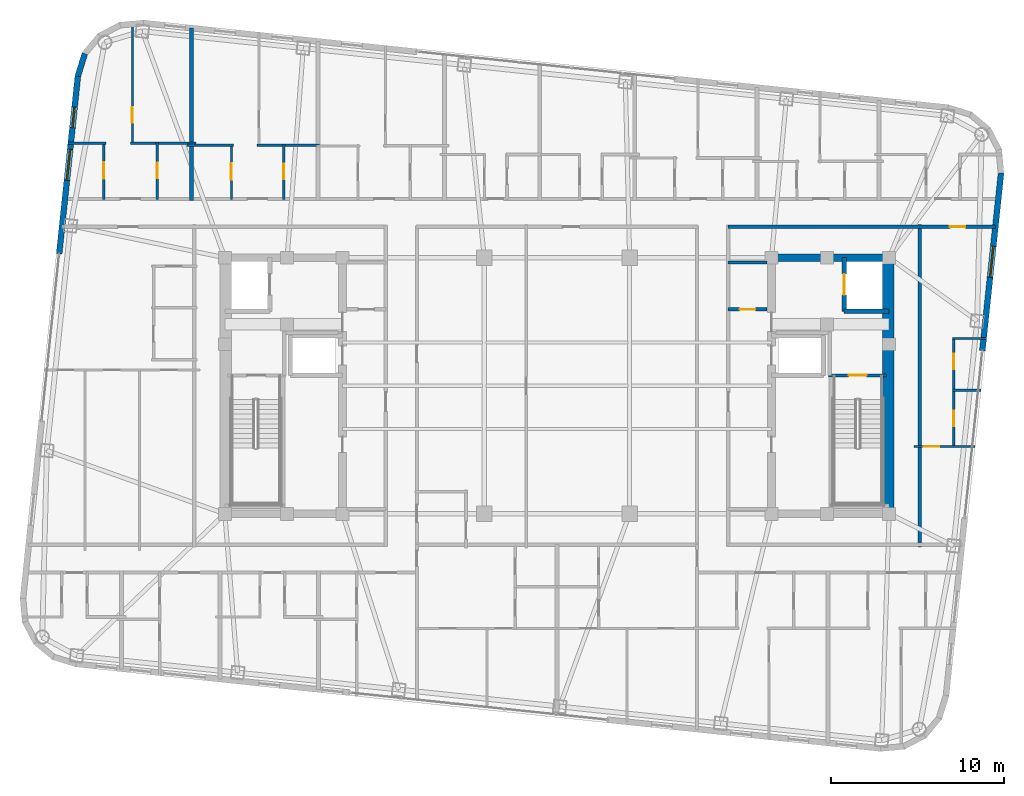
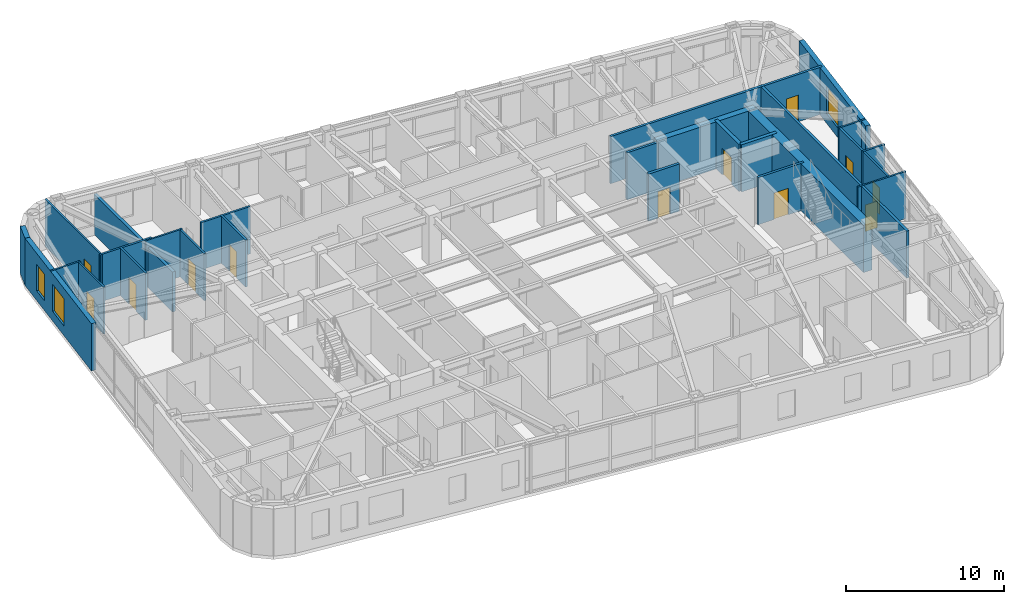
# One storey, part 19 of 23: 27 walls, 12 doors, 3 windows, 15 openings.
"""IFC4 building model written with IfcOpenShell, lengths in metres."""

from ifc_helpers import new_model, si_unit, direction, frame, frame_2d, origin, place, context, subcontext, project, spatial, rectangle, extrude, material, layer, layer_set, type_object, element, fill, save


model = new_model("IFC4")

# Units and contexts
model_context = context("Model", 3, precision=1e-05, world=origin(), true_north=direction((0.0, 1.0)))
body_context = subcontext(model_context, "Body", "Model", "MODEL_VIEW")
ifc_project = project(units=[si_unit("LENGTHUNIT", "METRE"), si_unit("AREAUNIT", "SQUARE_METRE"), si_unit("VOLUMEUNIT", "CUBIC_METRE"), si_unit("PLANEANGLEUNIT", "RADIAN"), si_unit("MASSUNIT", "GRAM", prefix="KILO")], contexts=[model_context])

# Site, building, storey
site_placement = place(None, origin())
site = spatial("IfcSite", under=ifc_project, at=site_placement, CompositionType="ELEMENT")
building_placement = place(site_placement, origin())
building = spatial("IfcBuilding", under=site, at=building_placement, Name="Voryun Gate Residences", CompositionType="ELEMENT")
storey_placement = place(building_placement, frame((0.0, 0.0, 275.60009765625)))
storey = spatial("IfcBuildingStorey", under=building, at=storey_placement, Name="L68", CompositionType="ELEMENT", Elevation=275.60009765625)

# Walls
ifc_material_1 = material(Name="Concrete C50/60", Category="concrete")
ifc_layer_1 = layer(ifc_material_1, 0.449951171875, Name="CW_CORE_450")
ifc_layer_set_1 = layer_set([ifc_layer_1], Name="Concrete C50/60")
wall_type_1 = type_object("IfcWallType", Name="CW_CORE_450", PredefinedType="SHEAR", material=ifc_layer_set_1)
wall_1_placement = place(storey_placement, frame((12.175048828125, 7.39990234375, 0.0), z_axis=(0.0, 0.0, 1.0), x_axis=(1.0, 0.0, 0.0)))
element("IfcWall", 1, at=wall_1_placement, inside=storey, type_object=wall_type_1, Name="L68 Core shear wall CW-L68-EN", PredefinedType="SHEAR", context=body_context, shape_type="SweptSolid", body=[
    extrude(rectangle(XDim=7.25, YDim=0.449951171875, at=frame_2d((3.625, 0.0))), origin(), (0.0, 0.0, 1.0), 3.64990234375),
])
ifc_material_2 = material(Name="Concrete C60/75", Category="concrete")
ifc_layer_2 = layer(ifc_material_2, 0.64990234375, Name="CW_CORE_650")
ifc_layer_set_2 = layer_set([ifc_layer_2], Name="Concrete C60/75")
wall_type_2 = type_object("IfcWallType", Name="CW_CORE_650", PredefinedType="SHEAR", material=ifc_layer_set_2)
wall_2_placement = place(storey_placement, frame((19.14501953125, -7.39990234375, 0.0), z_axis=(0.0, 0.0, 1.0), x_axis=(0.0, 1.0, 0.0)))
element("IfcWall", 2, at=wall_2_placement, inside=storey, type_object=wall_type_2, Name="L68 Core shear wall CW-L68-EE", PredefinedType="SHEAR", context=body_context, shape_type="SweptSolid", body=[
    extrude(rectangle(XDim=14.7998046875, YDim=0.64990234375, at=frame_2d((7.39990234375, 0.0))), origin(), (0.0, 0.0, 1.0), 3.64990234375),
])

# Wall, opening, door
ifc_material_3 = material(Name="Gypsum acoustic fireboard")
ifc_layer_3 = layer(ifc_material_3, 0.179931640625, Name="W_CORR_RATED_180")
ifc_layer_set_3 = layer_set([ifc_layer_3], Name="Gypsum acoustic fireboard")
wall_type_3 = type_object("IfcWallType", Name="W_CORR_RATED_180", PredefinedType="PARTITIONING", material=ifc_layer_set_3)
wall_3_placement = place(storey_placement, frame((15.699951171875, 0.60009765625, 0.0), z_axis=(0.0, 0.0, 1.0), x_axis=(1.0, 0.0, 0.0)))
wall_3 = element("IfcWall", 3, at=wall_3_placement, inside=storey, type_object=wall_type_3, Name="Partition wall WP-L68-STV-E", PredefinedType="PARTITIONING", context=body_context, shape_type="SweptSolid", body=[
    extrude(rectangle(XDim=3.360107421875, YDim=0.179931640625, at=frame_2d((1.68017578125, 0.0))), origin(), (0.0, 0.0, 1.0), 3.64990234375),
])
opening_1_placement = place(wall_3_placement, frame((1.155029296875, 0.0, 0.0)))
opening_1 = element("IfcOpeningElement", 4, at=opening_1_placement, cuts=wall_3, Name="Opening D-FD60-1", PredefinedType="OPENING", context=body_context, shape_type="SweptSolid", body=[
    extrude(rectangle(XDim=1.050048828125, YDim=2.050048828125, at=frame_2d((0.52490234375, 1.02490234375))), frame((0.0, 0.099853515625, 0.0), z_axis=(0.0, -1.0, 0.0), x_axis=(1.0, 0.0, 0.0)), (0.0, 0.0, 1.0), 0.199951171875),
])
ifc_material_4 = material(Name="Painted steel fire door", Category="steel")
door_type_1 = type_object("IfcDoorType", Name="DR_FD60_STAIR_1050", OperationType="NOTDEFINED", PredefinedType="DOOR", material=ifc_material_4)
door_1_placement = place(opening_1_placement, origin())
door_1 = element("IfcDoor", 5, at=door_1_placement, inside=storey, type_object=door_type_1, Name="Door DR-L68-ST-E", OperationType="SINGLE_SWING_RIGHT", OverallHeight=2.050048828125, OverallWidth=1.050048828125, PredefinedType="DOOR", context=body_context, shape_type="SweptSolid", body=[
    extrude(rectangle(XDim=1.050048828125, YDim=2.050048828125, at=frame_2d((0.52490234375, 1.02490234375))), frame((0.0, 0.02490234375, 0.0), z_axis=(0.0, -1.0, 0.0), x_axis=(1.0, 0.0, 0.0)), (0.0, 0.0, 1.0), 0.050048828125),
])
fill(opening_1, door_1)

# Wall
wall_4_placement = place(storey_placement, frame((9.8798828125, 7.1201171875, 0.0), z_axis=(0.0, 0.0, 1.0), x_axis=(1.0, 0.0, 0.0)))
element("IfcWall", 6, at=wall_4_placement, inside=storey, type_object=wall_type_3, Name="Partition wall WP-L68-PLBN-E", PredefinedType="PARTITIONING", context=body_context, shape_type="SweptSolid", body=[
    extrude(rectangle(XDim=2.27001953125, YDim=0.179931640625, at=frame_2d((1.135009765625, 0.0))), origin(), (0.0, 0.0, 1.0), 3.64990234375),
])

# Wall, opening, door
wall_5_placement = place(storey_placement, frame((9.8798828125, 9.18994140625, 0.0), z_axis=(0.0, 0.0, 1.0), x_axis=(1.0, 0.0, 0.0)))
wall_5 = element("IfcWall", 7, at=wall_5_placement, inside=storey, type_object=wall_type_3, Name="Partition wall WP-L68-CWING-EN", PredefinedType="PARTITIONING", context=body_context, shape_type="SweptSolid", body=[
    extrude(rectangle(XDim=15.4638671875, YDim=0.179931640625, at=frame_2d((7.73193359375, 0.0))), origin(), (0.0, 0.0, 1.0), 3.64990234375),
])
opening_2_placement = place(wall_5_placement, frame((12.831787109375, 0.0, 0.0)))
opening_2 = element("IfcOpeningElement", 8, at=opening_2_placement, cuts=wall_5, Name="Opening D-INT-2", PredefinedType="OPENING", context=body_context, shape_type="SweptSolid", body=[
    extrude(rectangle(XDim=0.89990234375, YDim=2.050048828125, at=frame_2d((0.449951171875, 1.02490234375))), frame((0.0, 0.099853515625, 0.0), z_axis=(0.0, -1.0, 0.0), x_axis=(1.0, 0.0, 0.0)), (0.0, 0.0, 1.0), 0.199951171875),
])
ifc_material_5 = material(Name="Architectural oak veneer")
door_type_2 = type_object("IfcDoorType", Name="DR_INT_BATH_900", OperationType="NOTDEFINED", PredefinedType="DOOR", material=ifc_material_5)
door_2_placement = place(opening_2_placement, origin())
door_2 = element("IfcDoor", 9, at=door_2_placement, inside=storey, type_object=door_type_2, Name="Door DR-L68-EE1N", OperationType="SINGLE_SWING_LEFT", OverallHeight=2.050048828125, OverallWidth=0.89990234375, PredefinedType="DOOR", context=body_context, shape_type="SweptSolid", body=[
    extrude(rectangle(XDim=0.89990234375, YDim=2.050048828125, at=frame_2d((0.449951171875, 1.02490234375))), frame((0.0, 0.02490234375, 0.0), z_axis=(0.0, -1.0, 0.0), x_axis=(1.0, 0.0, 0.0)), (0.0, 0.0, 1.0), 0.050048828125),
])
fill(opening_2, door_2)

# Wall
wall_6_placement = place(storey_placement, frame((20.969970703125, -9.31005859375, 0.0), z_axis=(0.0, 0.0, 1.0), x_axis=(0.0, 1.0, 0.0)))
element("IfcWall", 10, at=wall_6_placement, inside=storey, type_object=wall_type_3, Name="Partition wall WP-L68-ECOR", PredefinedType="PARTITIONING", context=body_context, shape_type="SweptSolid", body=[
    extrude(rectangle(XDim=18.6201171875, YDim=0.179931640625, at=frame_2d((9.31005859375, 0.0))), origin(), (0.0, 0.0, 1.0), 3.64990234375),
])

# Wall, openings, windows
ifc_material_6 = material(Name="Charcoal terracotta masonry", Category="masonry")
ifc_layer_4 = layer(ifc_material_6, 0.340087890625, Name="W_EXT_TERRACOTTA_340")
ifc_layer_set_4 = layer_set([ifc_layer_4], Name="Charcoal terracotta masonry")
wall_type_4 = type_object("IfcWallType", Name="W_EXT_TERRACOTTA_340", PredefinedType="ELEMENTEDWALL", material=ifc_layer_set_4)
wall_7_placement = place(storey_placement, frame((-28.775146484375, 7.636474609375, 0.0), z_axis=(0.0, 0.0, 1.0), x_axis=(0.104540767082, 0.994520602108, 0.0)))
wall_7 = element("IfcWall", 11, at=wall_7_placement, inside=storey, type_object=wall_type_4, Name="Exterior wall WEXT-L68-06B", PredefinedType="ELEMENTEDWALL", context=body_context, shape_type="SweptSolid", body=[
    extrude(rectangle(XDim=10.32470703125, YDim=0.340087890625, at=frame_2d((5.162353515625, 0.0))), origin(), (0.0, 0.0, 1.0), 3.64990234375),
])
opening_3_placement = place(wall_7_placement, frame((4.26220703125, 0.0, 0.75)))
opening_3 = element("IfcOpeningElement", 12, at=opening_3_placement, cuts=wall_7, Name="Opening WN1", PredefinedType="OPENING", context=body_context, shape_type="SweptSolid", body=[
    extrude(rectangle(XDim=1.800048828125, YDim=2.10009765625, at=frame_2d((0.89990234375, 1.050048828125))), frame((0.0, 0.179931640625, 0.0), z_axis=(0.0, -1.0, 0.0), x_axis=(1.0, 0.0, 0.0)), (0.0, 0.0, 1.0), 0.360107421875),
])
opening_4_placement = place(wall_7_placement, frame((7.326416015625, 0.0, 0.75)))
opening_4 = element("IfcOpeningElement", 13, at=opening_4_placement, cuts=wall_7, Name="Opening WN6", PredefinedType="OPENING", context=body_context, shape_type="SweptSolid", body=[
    extrude(rectangle(XDim=1.199951171875, YDim=2.050048828125, at=frame_2d((0.60009765625, 1.02490234375))), frame((0.0, 0.179931640625, 0.0), z_axis=(0.0, -1.0, 0.0), x_axis=(1.0, 0.0, 0.0)), (0.0, 0.0, 1.0), 0.360107421875),
])
ifc_material_7 = material(Name="Laminated low-E glass", Category="glass")
window_type_1 = type_object("IfcWindowType", Name="WN_POD_SLOT_1200", PartitioningType="SINGLE_PANEL", PredefinedType="WINDOW", material=ifc_material_7)
window_1_placement = place(opening_4_placement, origin())
window_1 = element("IfcWindow", 14, at=window_1_placement, inside=storey, type_object=window_type_1, Name="Window WN-L68-DWFIX-01", OverallHeight=2.050048828125, OverallWidth=1.199951171875, PartitioningType="SINGLE_PANEL", PredefinedType="WINDOW", context=body_context, shape_type="SweptSolid", body=[
    extrude(rectangle(XDim=1.199951171875, YDim=2.050048828125, at=frame_2d((0.60009765625, 1.02490234375))), frame((0.0, 0.030029296875, 0.0), z_axis=(0.0, -1.0, 0.0), x_axis=(1.0, 0.0, 0.0)), (0.0, 0.0, 1.0), 0.06005859375),
])
fill(opening_4, window_1)
ifc_material_8 = material(Name="Laminated low-E glass", Category="glass")
window_type_2 = type_object("IfcWindowType", Name="WN_RES_PUNCH_1800", PartitioningType="SINGLE_PANEL", PredefinedType="WINDOW", material=ifc_material_8)
window_2_placement = place(opening_3_placement, origin())
window_2 = element("IfcWindow", 15, at=window_2_placement, inside=storey, type_object=window_type_2, Name="Window WN-WEXT-L68-06B-01", OverallHeight=2.10009765625, OverallWidth=1.800048828125, PartitioningType="SINGLE_PANEL", PredefinedType="WINDOW", context=body_context, shape_type="SweptSolid", body=[
    extrude(rectangle(XDim=1.800048828125, YDim=2.10009765625, at=frame_2d((0.89990234375, 1.050048828125))), frame((0.0, 0.030029296875, 0.0), z_axis=(0.0, -1.0, 0.0), x_axis=(1.0, 0.0, 0.0)), (0.0, 0.0, 1.0), 0.06005859375),
])
fill(opening_3, window_2)

# Wall
wall_8_placement = place(storey_placement, frame((-27.69580078125, 17.904541015625, 0.0), z_axis=(0.0, 0.0, 1.0), x_axis=(0.296416228123, 0.955058856671, 0.0)))
element("IfcWall", 16, at=wall_8_placement, inside=storey, type_object=wall_type_4, Name="Exterior wall WEXT-L68-07", PredefinedType="ELEMENTEDWALL", context=body_context, shape_type="SweptSolid", body=[
    extrude(rectangle(XDim=1.35400390625, YDim=0.340087890625, at=frame_2d((0.677001953125, 0.0))), origin(), (0.0, 0.0, 1.0), 3.64990234375),
])

# Wall, opening, window
wall_9_placement = place(storey_placement, frame((25.670166015625, 12.295654296875, 0.0), z_axis=(0.0, 0.0, 1.0), x_axis=(-0.104540767082, -0.994520602108, 0.0)))
wall_9 = element("IfcWall", 17, at=wall_9_placement, inside=storey, type_object=wall_type_4, Name="Exterior wall WEXT-L68-16A", PredefinedType="ELEMENTEDWALL", context=body_context, shape_type="SweptSolid", body=[
    extrude(rectangle(XDim=10.32470703125, YDim=0.340087890625, at=frame_2d((5.162353515625, 0.0))), origin(), (0.0, 0.0, 1.0), 3.64990234375),
])
opening_5_placement = place(wall_9_placement, frame((4.26220703125, 0.0, 0.75)))
opening_5 = element("IfcOpeningElement", 18, at=opening_5_placement, cuts=wall_9, Name="Opening WN1", PredefinedType="OPENING", context=body_context, shape_type="SweptSolid", body=[
    extrude(rectangle(XDim=1.800048828125, YDim=2.10009765625, at=frame_2d((0.89990234375, 1.050048828125))), frame((0.0, 0.179931640625, 0.0), z_axis=(0.0, -1.0, 0.0), x_axis=(1.0, 0.0, 0.0)), (0.0, 0.0, 1.0), 0.360107421875),
])
window_3_placement = place(opening_5_placement, origin())
window_3 = element("IfcWindow", 19, at=window_3_placement, inside=storey, type_object=window_type_2, Name="Window WN-WEXT-L68-16A-01", OverallHeight=2.10009765625, OverallWidth=1.800048828125, PartitioningType="SINGLE_PANEL", PredefinedType="WINDOW", context=body_context, shape_type="SweptSolid", body=[
    extrude(rectangle(XDim=1.800048828125, YDim=2.10009765625, at=frame_2d((0.89990234375, 1.050048828125))), frame((0.0, 0.030029296875, 0.0), z_axis=(0.0, -1.0, 0.0), x_axis=(1.0, 0.0, 0.0)), (0.0, 0.0, 1.0), 0.06005859375),
])
fill(opening_5, window_3)

# Wall, opening, door
ifc_material_9 = material(Name="Concrete C40/50", Category="concrete")
ifc_layer_5 = layer(ifc_material_9, 0.199951171875, Name="W_FF_LOBBY_200")
ifc_layer_set_5 = layer_set([ifc_layer_5], Name="Concrete C40/50")
wall_type_5 = type_object("IfcWallType", Name="W_FF_LOBBY_200", PredefinedType="PARTITIONING", material=ifc_layer_set_5)
wall_10_placement = place(storey_placement, frame((9.8798828125, 4.409912109375, 0.0), z_axis=(0.0, 0.0, 1.0), x_axis=(1.0, 0.0, 0.0)))
wall_10 = element("IfcWall", 20, at=wall_10_placement, inside=storey, type_object=wall_type_5, Name="Partition wall WP-L68-CSFLKS-E", PredefinedType="PARTITIONING", context=body_context, shape_type="SweptSolid", body=[
    extrude(rectangle(XDim=2.27001953125, YDim=0.199951171875, at=frame_2d((1.135009765625, 0.0))), origin(), (0.0, 0.0, 1.0), 3.64990234375),
])
opening_6_placement = place(wall_10_placement, frame((0.68505859375, 0.0, 0.0)))
opening_6 = element("IfcOpeningElement", 21, at=opening_6_placement, cuts=wall_10, Name="Opening D-FD60-4", PredefinedType="OPENING", context=body_context, shape_type="SweptSolid", body=[
    extrude(rectangle(XDim=0.89990234375, YDim=2.050048828125, at=frame_2d((0.449951171875, 1.02490234375))), frame((0.0, 0.110107421875, 0.0), z_axis=(0.0, -1.0, 0.0), x_axis=(1.0, 0.0, 0.0)), (0.0, 0.0, 1.0), 0.219970703125),
])
ifc_material_10 = material(Name="Painted steel fire door", Category="steel")
door_type_3 = type_object("IfcDoorType", Name="DR_FD60_RISER_900", OperationType="NOTDEFINED", PredefinedType="DOOR", material=ifc_material_10)
door_3_placement = place(opening_6_placement, origin())
door_3 = element("IfcDoor", 22, at=door_3_placement, inside=storey, type_object=door_type_3, Name="Door DR-L68-CSFLK-E", OperationType="SINGLE_SWING_RIGHT", OverallHeight=2.050048828125, OverallWidth=0.89990234375, PredefinedType="DOOR", context=body_context, shape_type="SweptSolid", body=[
    extrude(rectangle(XDim=0.89990234375, YDim=2.050048828125, at=frame_2d((0.449951171875, 1.02490234375))), frame((0.0, 0.02490234375, 0.0), z_axis=(0.0, -1.0, 0.0), x_axis=(1.0, 0.0, 0.0)), (0.0, 0.0, 1.0), 0.050048828125),
])
fill(opening_6, door_3)

# Walls
ifc_material_11 = material(Name="Concrete C40/50", Category="concrete")
ifc_layer_6 = layer(ifc_material_11, 0.219970703125, Name="W_PARTY_ACOUSTIC_220")
ifc_layer_set_6 = layer_set([ifc_layer_6], Name="Concrete C40/50")
wall_type_6 = type_object("IfcWallType", Name="W_PARTY_ACOUSTIC_220", PredefinedType="PARTITIONING", material=ifc_layer_set_6)
wall_11_placement = place(storey_placement, frame((-21.132080078125, 10.719970703125, 0.0), z_axis=(0.0, 0.0, 1.0), x_axis=(0.0, 1.0, 0.0)))
element("IfcWall", 23, at=wall_11_placement, inside=storey, type_object=wall_type_6, Name="Partition wall WP-L68-NPTY-1", PredefinedType="PARTITIONING", context=body_context, shape_type="SweptSolid", body=[
    extrude(rectangle(XDim=9.96044921875, YDim=0.219970703125, at=frame_2d((4.980224609375, 0.0))), origin(), (0.0, 0.0, 1.0), 3.08984375),
])
ifc_material_12 = material(Name="Concrete C50/60", Category="concrete")
ifc_layer_7 = layer(ifc_material_12, 0.25, Name="W_SHAFT_RC250")
ifc_layer_set_7 = layer_set([ifc_layer_7], Name="Concrete C50/60")
wall_type_7 = type_object("IfcWallType", Name="W_SHAFT_RC250", PredefinedType="SOLIDWALL", material=ifc_layer_set_7)
wall_12_placement = place(storey_placement, frame((16.60009765625, 4.300048828125, 0.0), z_axis=(0.0, 0.0, 1.0), x_axis=(1.0, 0.0, 0.0)))
element("IfcWall", 24, at=wall_12_placement, inside=storey, type_object=wall_type_7, Name="Lift shaft wall WSH-L68-EL-FF-E1-S", PredefinedType="SOLIDWALL", context=body_context, shape_type="SweptSolid", body=[
    extrude(rectangle(XDim=2.599853515625, YDim=0.25, at=frame_2d((1.2998046875, 0.0))), origin(), (0.0, 0.0, 1.0), 3.64990234375),
])

# Wall, opening, door
wall_13_placement = place(storey_placement, frame((16.60009765625, 7.39990234375, 0.0), z_axis=(0.0, 0.0, 1.0), x_axis=(0.0, -1.0, 0.0)))
wall_13 = element("IfcWall", 25, at=wall_13_placement, inside=storey, type_object=wall_type_7, Name="Lift shaft wall WSH-L68-EL-FF-E1-W", PredefinedType="SOLIDWALL", context=body_context, shape_type="SweptSolid", body=[
    extrude(rectangle(XDim=3.099853515625, YDim=0.25, at=frame_2d((1.5498046875, 0.0))), origin(), (0.0, 0.0, 1.0), 3.64990234375),
])
opening_7_placement = place(wall_13_placement, frame((0.949951171875, 0.0, 0.0)))
opening_7 = element("IfcOpeningElement", 26, at=opening_7_placement, cuts=wall_13, Name="Opening LD1", PredefinedType="OPENING", context=body_context, shape_type="SweptSolid", body=[
    extrude(rectangle(XDim=1.199951171875, YDim=2.050048828125, at=frame_2d((0.60009765625, 1.02490234375))), frame((0.0, 0.135009765625, 0.0), z_axis=(0.0, -1.0, 0.0), x_axis=(1.0, 0.0, 0.0)), (0.0, 0.0, 1.0), 0.27001953125),
])
ifc_material_13 = material(Name="Anodised aluminium", Category="aluminium")
door_type_4 = type_object("IfcDoorType", Name="DR_LD_FF_1200", OperationType="NOTDEFINED", PredefinedType="DOOR", material=ifc_material_13)
door_4_placement = place(opening_7_placement, origin())
door_4 = element("IfcDoor", 27, at=door_4_placement, inside=storey, type_object=door_type_4, Name="Lift EL-FF-E1 sliding landing door L68", OperationType="SLIDING_TO_LEFT", OverallHeight=2.050048828125, OverallWidth=1.199951171875, PredefinedType="DOOR", context=body_context, shape_type="SweptSolid", body=[
    extrude(rectangle(XDim=1.199951171875, YDim=2.050048828125, at=frame_2d((0.60009765625, 1.02490234375))), frame((0.0, 0.02490234375, 0.0), z_axis=(0.0, -1.0, 0.0), x_axis=(1.0, 0.0, 0.0)), (0.0, 0.0, 1.0), 0.050048828125),
])
fill(opening_7, door_4)

ifc_material_14 = material(Name="Gypsum acoustic partition")
ifc_layer_8 = layer(ifc_material_14, 0.125, Name="W_UNIT_PART_125")
ifc_layer_set_8 = layer_set([ifc_layer_8], Name="Gypsum acoustic partition")
wall_type_8 = type_object("IfcWallType", Name="W_UNIT_PART_125", PredefinedType="PARTITIONING", material=ifc_layer_set_8)
wall_14_placement = place(storey_placement, frame((-24.5419921875, 13.93994140625, 0.0), z_axis=(0.0, 0.0, 1.0), x_axis=(0.0, 1.0, 0.0)))
wall_14 = element("IfcWall", 28, at=wall_14_placement, inside=storey, type_object=wall_type_8, Name="Partition wall WP-L68-N1-OVR", PredefinedType="PARTITIONING", context=body_context, shape_type="SweptSolid", body=[
    extrude(rectangle(XDim=7.12451171875, YDim=0.125, at=frame_2d((3.562255859375, 0.0))), origin(), (0.0, 0.0, 1.0), 3.64990234375),
])
opening_8_placement = place(wall_14_placement, frame((1.260009765625, 0.0, 0.0)))
opening_8 = element("IfcOpeningElement", 29, at=opening_8_placement, cuts=wall_14, Name="Opening D-INT-2", PredefinedType="OPENING", context=body_context, shape_type="SweptSolid", body=[
    extrude(rectangle(XDim=0.89990234375, YDim=2.050048828125, at=frame_2d((0.449951171875, 1.02490234375))), frame((0.0, 0.072509765625, 0.0), z_axis=(0.0, -1.0, 0.0), x_axis=(1.0, 0.0, 0.0)), (0.0, 0.0, 1.0), 0.14501953125),
])
door_5_placement = place(opening_8_placement, origin())
door_5 = element("IfcDoor", 30, at=door_5_placement, inside=storey, type_object=door_type_2, Name="Door DR-L68-N1-DMB", OperationType="SINGLE_SWING_RIGHT", OverallHeight=2.050048828125, OverallWidth=0.89990234375, PredefinedType="DOOR", context=body_context, shape_type="SweptSolid", body=[
    extrude(rectangle(XDim=0.89990234375, YDim=2.050048828125, at=frame_2d((0.449951171875, 1.02490234375))), frame((0.0, 0.02490234375, 0.0), z_axis=(0.0, -1.0, 0.0), x_axis=(1.0, 0.0, 0.0)), (0.0, 0.0, 1.0), 0.050048828125),
])
fill(opening_8, door_5)

wall_15_placement = place(storey_placement, frame((-26.197021484375, 10.780029296875, 0.0), z_axis=(0.0, 0.0, 1.0), x_axis=(0.0, 1.0, 0.0)))
wall_15 = element("IfcWall", 31, at=wall_15_placement, inside=storey, type_object=wall_type_8, Name="Partition wall WP-L68-N1-IVK", PredefinedType="PARTITIONING", context=body_context, shape_type="SweptSolid", body=[
    extrude(rectangle(XDim=3.320068359375, YDim=0.125, at=frame_2d((1.66015625, 0.0))), origin(), (0.0, 0.0, 1.0), 3.64990234375),
])
opening_9_placement = place(wall_15_placement, frame((1.18505859375, 0.0, 0.0)))
opening_9 = element("IfcOpeningElement", 32, at=opening_9_placement, cuts=wall_15, Name="Opening D-INT-1", PredefinedType="OPENING", context=body_context, shape_type="SweptSolid", body=[
    extrude(rectangle(XDim=0.949951171875, YDim=2.050048828125, at=frame_2d((0.47509765625, 1.02490234375))), frame((0.0, 0.072509765625, 0.0), z_axis=(0.0, -1.0, 0.0), x_axis=(1.0, 0.0, 0.0)), (0.0, 0.0, 1.0), 0.14501953125),
])
ifc_material_15 = material(Name="Architectural oak veneer")
door_type_5 = type_object("IfcDoorType", Name="DR_INT_ROOM_950", OperationType="NOTDEFINED", PredefinedType="DOOR", material=ifc_material_15)
door_6_placement = place(opening_9_placement, origin())
door_6 = element("IfcDoor", 33, at=door_6_placement, inside=storey, type_object=door_type_5, Name="Door DR-L68-N1-DK", OperationType="SINGLE_SWING_LEFT", OverallHeight=2.050048828125, OverallWidth=0.949951171875, PredefinedType="DOOR", context=body_context, shape_type="SweptSolid", body=[
    extrude(rectangle(XDim=0.949951171875, YDim=2.050048828125, at=frame_2d((0.47509765625, 1.02490234375))), frame((0.0, 0.02490234375, 0.0), z_axis=(0.0, -1.0, 0.0), x_axis=(1.0, 0.0, 0.0)), (0.0, 0.0, 1.0), 0.050048828125),
])
fill(opening_9, door_6)

# Wall
wall_16_placement = place(storey_placement, frame((-28.255126953125, 14.02001953125, 0.0), z_axis=(0.0, 0.0, 1.0), x_axis=(1.0, 0.0, 0.0)))
element("IfcWall", 34, at=wall_16_placement, inside=storey, type_object=wall_type_8, Name="Partition wall WP-L68-N1-HZK", PredefinedType="PARTITIONING", context=body_context, shape_type="SweptSolid", body=[
    extrude(rectangle(XDim=2.17822265625, YDim=0.125, at=frame_2d((1.089111328125, 0.0))), origin(), (0.0, 0.0, 1.0), 3.64990234375),
])

# Wall, opening, door
wall_17_placement = place(storey_placement, frame((-18.822021484375, 10.780029296875, 0.0), z_axis=(0.0, 0.0, 1.0), x_axis=(0.0, 1.0, 0.0)))
wall_17 = element("IfcWall", 35, at=wall_17_placement, inside=storey, type_object=wall_type_8, Name="Partition wall WP-L68-N2-IVK", PredefinedType="PARTITIONING", context=body_context, shape_type="SweptSolid", body=[
    extrude(rectangle(XDim=3.201904296875, YDim=0.125, at=frame_2d((1.60107421875, 0.0))), origin(), (0.0, 0.0, 1.0), 3.64990234375),
])
opening_10_placement = place(wall_17_placement, frame((1.1259765625, 0.0, 0.0)))
opening_10 = element("IfcOpeningElement", 36, at=opening_10_placement, cuts=wall_17, Name="Opening D-INT-1", PredefinedType="OPENING", context=body_context, shape_type="SweptSolid", body=[
    extrude(rectangle(XDim=0.949951171875, YDim=2.050048828125, at=frame_2d((0.47509765625, 1.02490234375))), frame((0.0, 0.072509765625, 0.0), z_axis=(0.0, -1.0, 0.0), x_axis=(1.0, 0.0, 0.0)), (0.0, 0.0, 1.0), 0.14501953125),
])
door_7_placement = place(opening_10_placement, origin())
door_7 = element("IfcDoor", 37, at=door_7_placement, inside=storey, type_object=door_type_5, Name="Door DR-L68-N2-DK", OperationType="SINGLE_SWING_LEFT", OverallHeight=2.050048828125, OverallWidth=0.949951171875, PredefinedType="DOOR", context=body_context, shape_type="SweptSolid", body=[
    extrude(rectangle(XDim=0.949951171875, YDim=2.050048828125, at=frame_2d((0.47509765625, 1.02490234375))), frame((0.0, 0.02490234375, 0.0), z_axis=(0.0, -1.0, 0.0), x_axis=(1.0, 0.0, 0.0)), (0.0, 0.0, 1.0), 0.050048828125),
])
fill(opening_10, door_7)

# Walls
wall_18_placement = place(storey_placement, frame((-21.39208984375, 13.902099609375, 0.0), z_axis=(0.0, 0.0, 1.0), x_axis=(1.0, 0.0, 0.0)))
element("IfcWall", 38, at=wall_18_placement, inside=storey, type_object=wall_type_8, Name="Partition wall WP-L68-N2-HZK", PredefinedType="PARTITIONING", context=body_context, shape_type="SweptSolid", body=[
    extrude(rectangle(XDim=2.690185546875, YDim=0.125, at=frame_2d((1.34521484375, 0.0))), origin(), (0.0, 0.0, 1.0), 3.64990234375),
])
wall_19_placement = place(storey_placement, frame((22.861083984375, 2.739990234375, 0.0), z_axis=(0.0, 0.0, 1.0), x_axis=(1.0, 0.0, 0.0)))
element("IfcWall", 39, at=wall_19_placement, inside=storey, type_object=wall_type_8, Name="Partition wall WP-L68-E1-HZ1", PredefinedType="PARTITIONING", context=body_context, shape_type="SweptSolid", body=[
    extrude(rectangle(XDim=1.95556640625, YDim=0.125, at=frame_2d((0.977783203125, 0.0))), origin(), (0.0, 0.0, 1.0), 3.64990234375),
])

# Wall, opening, door
wall_20_placement = place(storey_placement, frame((20.64990234375, -3.510009765625, 0.0), z_axis=(0.0, 0.0, 1.0), x_axis=(1.0, 0.0, 0.0)))
wall_20 = element("IfcWall", 40, at=wall_20_placement, inside=storey, type_object=wall_type_8, Name="Partition wall WP-L68-E1-HZ3", PredefinedType="PARTITIONING", context=body_context, shape_type="SweptSolid", body=[
    extrude(rectangle(XDim=3.509765625, YDim=0.125, at=frame_2d((1.7548828125, 0.0))), origin(), (0.0, 0.0, 1.0), 3.64990234375),
])
opening_11_placement = place(wall_20_placement, frame((0.5419921875, 0.0, 0.0)))
opening_11 = element("IfcOpeningElement", 41, at=opening_11_placement, cuts=wall_20, Name="Opening D-INT-2", PredefinedType="OPENING", context=body_context, shape_type="SweptSolid", body=[
    extrude(rectangle(XDim=0.89990234375, YDim=2.050048828125, at=frame_2d((0.449951171875, 1.02490234375))), frame((0.0, 0.072509765625, 0.0), z_axis=(0.0, -1.0, 0.0), x_axis=(1.0, 0.0, 0.0)), (0.0, 0.0, 1.0), 0.14501953125),
])
door_8_placement = place(opening_11_placement, origin())
door_8 = element("IfcDoor", 42, at=door_8_placement, inside=storey, type_object=door_type_2, Name="Door DR-L68-E1-DMB", OperationType="SINGLE_SWING_LEFT", OverallHeight=2.050048828125, OverallWidth=0.89990234375, PredefinedType="DOOR", context=body_context, shape_type="SweptSolid", body=[
    extrude(rectangle(XDim=0.89990234375, YDim=2.050048828125, at=frame_2d((0.449951171875, 1.02490234375))), frame((0.0, 0.02490234375, 0.0), z_axis=(0.0, -1.0, 0.0), x_axis=(1.0, 0.0, 0.0)), (0.0, 0.0, 1.0), 0.050048828125),
])
fill(opening_11, door_8)

# Wall
ifc_material_16 = material(Name="Gypsum moisture-resistant partition")
ifc_layer_9 = layer(ifc_material_16, 0.14990234375, Name="W_WET_PLUMB_150")
ifc_layer_set_9 = layer_set([ifc_layer_9], Name="Gypsum moisture-resistant partition")
wall_type_9 = type_object("IfcWallType", Name="W_WET_PLUMB_150", PredefinedType="PLUMBINGWALL", material=ifc_layer_set_9)
wall_21_placement = place(storey_placement, frame((-24.662109375, 14.02001953125, 0.0), z_axis=(0.0, 0.0, 1.0), x_axis=(1.0, 0.0, 0.0)))
element("IfcWall", 43, at=wall_21_placement, inside=storey, type_object=wall_type_9, Name="Partition wall WP-L68-N1-HZB", PredefinedType="PLUMBINGWALL", context=body_context, shape_type="SweptSolid", body=[
    extrude(rectangle(XDim=3.7900390625, YDim=0.14990234375, at=frame_2d((1.89501953125, 0.0))), origin(), (0.0, 0.0, 1.0), 3.64990234375),
])

# Wall, opening, door
wall_22_placement = place(storey_placement, frame((-23.112060546875, 10.780029296875, 0.0), z_axis=(0.0, 0.0, 1.0), x_axis=(0.0, 1.0, 0.0)))
wall_22 = element("IfcWall", 44, at=wall_22_placement, inside=storey, type_object=wall_type_9, Name="Partition wall WP-L68-N1-IVB", PredefinedType="PLUMBINGWALL", context=body_context, shape_type="SweptSolid", body=[
    extrude(rectangle(XDim=3.320068359375, YDim=0.14990234375, at=frame_2d((1.66015625, 0.0))), origin(), (0.0, 0.0, 1.0), 3.64990234375),
])
opening_12_placement = place(wall_22_placement, frame((1.2099609375, 0.0, 0.0)))
opening_12 = element("IfcOpeningElement", 45, at=opening_12_placement, cuts=wall_22, Name="Opening D-INT-2", PredefinedType="OPENING", context=body_context, shape_type="SweptSolid", body=[
    extrude(rectangle(XDim=0.89990234375, YDim=2.050048828125, at=frame_2d((0.449951171875, 1.02490234375))), frame((0.0, 0.0849609375, 0.0), z_axis=(0.0, -1.0, 0.0), x_axis=(1.0, 0.0, 0.0)), (0.0, 0.0, 1.0), 0.169921875),
])
door_9_placement = place(opening_12_placement, origin())
door_9 = element("IfcDoor", 46, at=door_9_placement, inside=storey, type_object=door_type_2, Name="Door DR-L68-N1-DB", OperationType="SINGLE_SWING_RIGHT", OverallHeight=2.050048828125, OverallWidth=0.89990234375, PredefinedType="DOOR", context=body_context, shape_type="SweptSolid", body=[
    extrude(rectangle(XDim=0.89990234375, YDim=2.050048828125, at=frame_2d((0.449951171875, 1.02490234375))), frame((0.0, 0.02490234375, 0.0), z_axis=(0.0, -1.0, 0.0), x_axis=(1.0, 0.0, 0.0)), (0.0, 0.0, 1.0), 0.050048828125),
])
fill(opening_12, door_9)

# Wall
wall_23_placement = place(storey_placement, frame((-17.345947265625, 13.902099609375, 0.0), z_axis=(0.0, 0.0, 1.0), x_axis=(1.0, 0.0, 0.0)))
element("IfcWall", 47, at=wall_23_placement, inside=storey, type_object=wall_type_9, Name="Partition wall WP-L68-N2-HZB", PredefinedType="PLUMBINGWALL", context=body_context, shape_type="SweptSolid", body=[
    extrude(rectangle(XDim=3.60498046875, YDim=0.14990234375, at=frame_2d((1.802490234375, 0.0))), origin(), (0.0, 0.0, 1.0), 3.64990234375),
])

# Wall, opening, door
wall_24_placement = place(storey_placement, frame((-15.7958984375, 10.780029296875, 0.0), z_axis=(0.0, 0.0, 1.0), x_axis=(0.0, 1.0, 0.0)))
wall_24 = element("IfcWall", 48, at=wall_24_placement, inside=storey, type_object=wall_type_9, Name="Partition wall WP-L68-N2-IVB", PredefinedType="PLUMBINGWALL", context=body_context, shape_type="SweptSolid", body=[
    extrude(rectangle(XDim=3.201904296875, YDim=0.14990234375, at=frame_2d((1.60107421875, 0.0))), origin(), (0.0, 0.0, 1.0), 3.64990234375),
])
opening_13_placement = place(wall_24_placement, frame((1.15087890625, 0.0, 0.0)))
opening_13 = element("IfcOpeningElement", 49, at=opening_13_placement, cuts=wall_24, Name="Opening D-INT-2", PredefinedType="OPENING", context=body_context, shape_type="SweptSolid", body=[
    extrude(rectangle(XDim=0.89990234375, YDim=2.050048828125, at=frame_2d((0.449951171875, 1.02490234375))), frame((0.0, 0.0849609375, 0.0), z_axis=(0.0, -1.0, 0.0), x_axis=(1.0, 0.0, 0.0)), (0.0, 0.0, 1.0), 0.169921875),
])
door_10_placement = place(opening_13_placement, origin())
door_10 = element("IfcDoor", 50, at=door_10_placement, inside=storey, type_object=door_type_2, Name="Door DR-L68-N2-DB", OperationType="SINGLE_SWING_RIGHT", OverallHeight=2.050048828125, OverallWidth=0.89990234375, PredefinedType="DOOR", context=body_context, shape_type="SweptSolid", body=[
    extrude(rectangle(XDim=0.89990234375, YDim=2.050048828125, at=frame_2d((0.449951171875, 1.02490234375))), frame((0.0, 0.02490234375, 0.0), z_axis=(0.0, -1.0, 0.0), x_axis=(1.0, 0.0, 0.0)), (0.0, 0.0, 1.0), 0.050048828125),
])
fill(opening_13, door_10)

# Wall
wall_25_placement = place(storey_placement, frame((22.861083984375, -0.260009765625, 0.0), z_axis=(0.0, 0.0, 1.0), x_axis=(1.0, 0.0, 0.0)))
element("IfcWall", 51, at=wall_25_placement, inside=storey, type_object=wall_type_9, Name="Partition wall WP-L68-E1-HZ2", PredefinedType="PLUMBINGWALL", context=body_context, shape_type="SweptSolid", body=[
    extrude(rectangle(XDim=1.64013671875, YDim=0.14990234375, at=frame_2d((0.820068359375, 0.0))), origin(), (0.0, 0.0, 1.0), 3.64990234375),
])

# Wall, opening, door
wall_26_placement = place(storey_placement, frame((22.94091796875, -3.550048828125, 0.0), z_axis=(0.0, 0.0, 1.0), x_axis=(0.0, 1.0, 0.0)))
wall_26 = element("IfcWall", 52, at=wall_26_placement, inside=storey, type_object=wall_type_9, Name="Partition wall WP-L68-E1-VKB1", PredefinedType="PLUMBINGWALL", context=body_context, shape_type="SweptSolid", body=[
    extrude(rectangle(XDim=3.330078125, YDim=0.14990234375, at=frame_2d((1.6650390625, 0.0))), origin(), (0.0, 0.0, 1.0), 3.64990234375),
])
opening_14_placement = place(wall_26_placement, frame((1.215087890625, 0.0, 0.0)))
opening_14 = element("IfcOpeningElement", 53, at=opening_14_placement, cuts=wall_26, Name="Opening D-INT-2", PredefinedType="OPENING", context=body_context, shape_type="SweptSolid", body=[
    extrude(rectangle(XDim=0.89990234375, YDim=2.050048828125, at=frame_2d((0.449951171875, 1.02490234375))), frame((0.0, 0.0849609375, 0.0), z_axis=(0.0, -1.0, 0.0), x_axis=(1.0, 0.0, 0.0)), (0.0, 0.0, 1.0), 0.169921875),
])
door_11_placement = place(opening_14_placement, origin())
door_11 = element("IfcDoor", 54, at=door_11_placement, inside=storey, type_object=door_type_2, Name="Door DR-L68-E1-DB", OperationType="SINGLE_SWING_LEFT", OverallHeight=2.050048828125, OverallWidth=0.89990234375, PredefinedType="DOOR", context=body_context, shape_type="SweptSolid", body=[
    extrude(rectangle(XDim=0.89990234375, YDim=2.050048828125, at=frame_2d((0.449951171875, 1.02490234375))), frame((0.0, 0.02490234375, 0.0), z_axis=(0.0, -1.0, 0.0), x_axis=(1.0, 0.0, 0.0)), (0.0, 0.0, 1.0), 0.050048828125),
])
fill(opening_14, door_11)

wall_27_placement = place(storey_placement, frame((22.94091796875, -0.300048828125, 0.0), z_axis=(0.0, 0.0, 1.0), x_axis=(0.0, 1.0, 0.0)))
wall_27 = element("IfcWall", 55, at=wall_27_placement, inside=storey, type_object=wall_type_9, Name="Partition wall WP-L68-E1-VKB2", PredefinedType="PLUMBINGWALL", context=body_context, shape_type="SweptSolid", body=[
    extrude(rectangle(XDim=3.080078125, YDim=0.14990234375, at=frame_2d((1.5400390625, 0.0))), origin(), (0.0, 0.0, 1.0), 3.64990234375),
])
opening_15_placement = place(wall_27_placement, frame((1.243896484375, 0.0, 0.0)))
opening_15 = element("IfcOpeningElement", 56, at=opening_15_placement, cuts=wall_27, Name="Opening D-INT-2", PredefinedType="OPENING", context=body_context, shape_type="SweptSolid", body=[
    extrude(rectangle(XDim=0.89990234375, YDim=2.050048828125, at=frame_2d((0.449951171875, 1.02490234375))), frame((0.0, 0.0849609375, 0.0), z_axis=(0.0, -1.0, 0.0), x_axis=(1.0, 0.0, 0.0)), (0.0, 0.0, 1.0), 0.169921875),
])
door_12_placement = place(opening_15_placement, origin())
door_12 = element("IfcDoor", 57, at=door_12_placement, inside=storey, type_object=door_type_2, Name="Door DR-L68-E1-DK", OperationType="SINGLE_SWING_RIGHT", OverallHeight=2.050048828125, OverallWidth=0.89990234375, PredefinedType="DOOR", context=body_context, shape_type="SweptSolid", body=[
    extrude(rectangle(XDim=0.89990234375, YDim=2.050048828125, at=frame_2d((0.449951171875, 1.02490234375))), frame((0.0, 0.02490234375, 0.0), z_axis=(0.0, -1.0, 0.0), x_axis=(1.0, 0.0, 0.0)), (0.0, 0.0, 1.0), 0.050048828125),
])
fill(opening_15, door_12)

save(model, "model.ifc")
